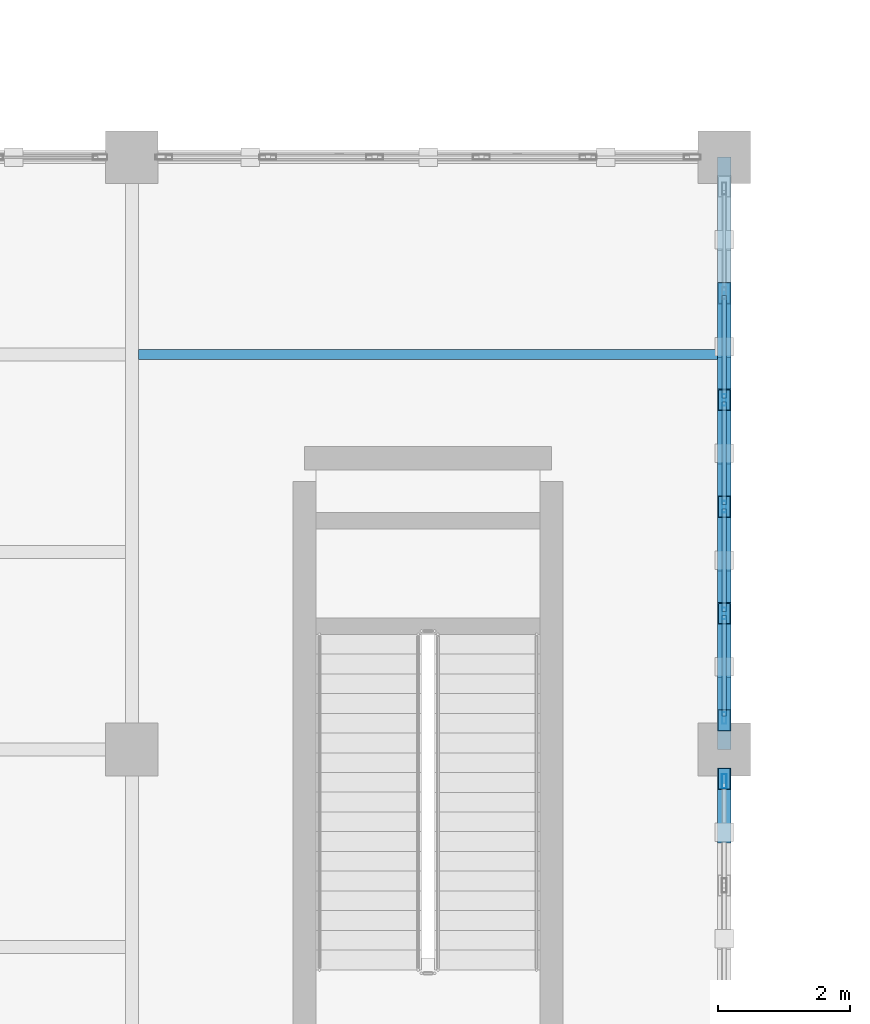
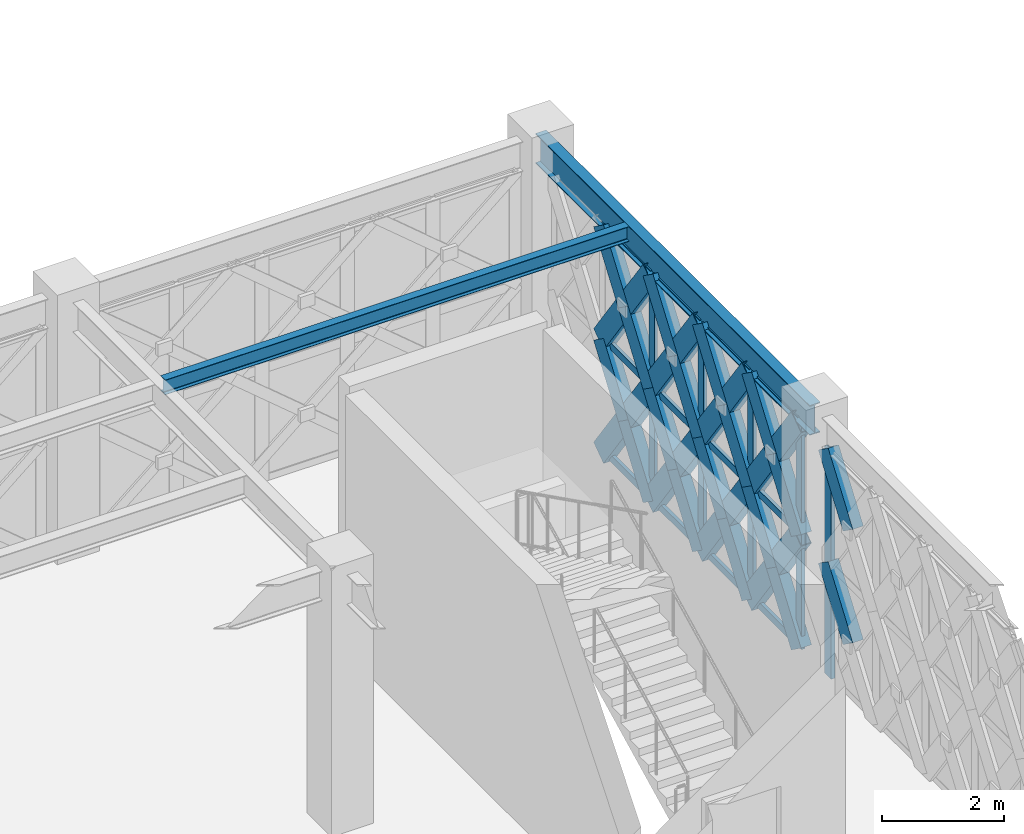
# One storey, part 15 of 86: 43 members, 2 beams, 2 elements without a shape of their own.
"""IFC4 building model written with IfcOpenShell, lengths in metres."""

from ifc_helpers import new_model, si_unit, direction, frame, origin, origin_2d, place, context, subcontext, project, spatial, hollow_rectangle, i_section, extrude, material, material_profile, profile_set, type_object, element, aggregate, save


model = new_model("IFC4")

# Units and contexts
model_context = context("Model", 3, precision=1e-05, world=origin(), true_north=direction((0.0, 1.0)))
body_context = subcontext(model_context, "Body", "Model", "MODEL_VIEW")
ifc_project = project(units=[si_unit("LENGTHUNIT", "METRE"), si_unit("AREAUNIT", "SQUARE_METRE"), si_unit("VOLUMEUNIT", "CUBIC_METRE"), si_unit("PLANEANGLEUNIT", "RADIAN"), si_unit("MASSUNIT", "GRAM", prefix="KILO")], contexts=[model_context])

# Site, building, storey
site_placement = place(None, origin())
site = spatial("IfcSite", under=ifc_project, at=site_placement, CompositionType="ELEMENT")
building_placement = place(site_placement, origin())
building = spatial("IfcBuilding", under=site, at=building_placement, Name="Haizhuo Lancet Aquarium", CompositionType="ELEMENT")
storey_placement = place(building_placement, frame((0.0, 0.0, 16.199951171875)))
storey = spatial("IfcBuildingStorey", under=building, at=storey_placement, Name="L03", CompositionType="ELEMENT", Elevation=16.199951171875)

# Beam
ifc_material_1 = material(Name="Steel S355", Category="steel")
ifc_material_profile_1 = material_profile(ifc_material_1, i_section(OverallWidth=0.199951171875, OverallDepth=0.60009765625, WebThickness=0.010986328125, FlangeThickness=0.01708984375, FilletRadius=0.02197265625, at=origin_2d()), Name="HN 600x200x11x17")
ifc_profile_set_1 = profile_set([ifc_material_profile_1], Name="Steel S355")
beam_type_1 = type_object("IfcBeamType", Name="BM-ST-HN600", PredefinedType="BEAM", material=ifc_profile_set_1)
beam_1_placement = place(storey_placement, frame((-36.0, -18.0, 4.85009765625), z_axis=(0.0, 1.0, 0.0), x_axis=(-1.0, 0.0, 0.0)))
element("IfcBeam", 1, at=beam_1_placement, inside=storey, type_object=beam_type_1, Name="L03 V6 primary girder BM-L03-V6-029", PredefinedType="BEAM", context=body_context, shape_type="SweptSolid", body=[
    extrude(i_section(OverallWidth=0.199951171875, OverallDepth=0.60009765625, WebThickness=0.010986328125, FlangeThickness=0.01708984375, FilletRadius=0.02197265625, at=origin_2d()), origin(), (0.0, 0.0, 1.0), 9.0),
])

# Curtain wall, members
ifc_material_2 = material(Name="Aluminium 6063-T6", Category="aluminium")
curtain_wall_type = type_object("IfcCurtainWallType", Name="CWD-8110x4550", PredefinedType="NOTDEFINED", material=ifc_material_2)
curtain_wall_1_placement = place(storey_placement, origin())
curtain_wall_1 = element("IfcCurtainWall", 2, at=curtain_wall_1_placement, inside=storey, type_object=curtain_wall_type, Name="L03 curtain wall CW-V6-L03-235", PredefinedType="NOTDEFINED")
ifc_material_profile_2 = material_profile(ifc_material_2, hollow_rectangle(XDim=0.06494140625, YDim=0.179931640625, WallThickness=0.00390625, at=origin_2d()), Name="ALU-M 65x180x4")
ifc_profile_set_2 = profile_set([ifc_material_profile_2], Name="Aluminium 6063-T6")
member_type_1 = type_object("IfcMemberType", Name="CW-MUL-1", PredefinedType="MULLION", material=ifc_profile_set_2)
member_1_placement = place(storey_placement, frame((-36.0, -12.68896484375, 0.0), z_axis=(0.0, 0.0, 1.0), x_axis=(1.0, 0.0, 0.0)))
member_1 = element("IfcMember", 3, at=member_1_placement, type_object=member_type_1, Name="CWD-81x45 mullion 3", PredefinedType="MULLION", context=body_context, shape_type="SweptSolid", body=[
    extrude(hollow_rectangle(XDim=0.06494140625, YDim=0.179931640625, WallThickness=0.00390625, at=origin_2d()), origin(), (0.0, 0.0, 1.0), 4.550048828125),
])
member_2_placement = place(storey_placement, frame((-36.0, -14.31103515625, 0.0), z_axis=(0.0, 0.0, 1.0), x_axis=(1.0, 0.0, 0.0)))
member_2 = element("IfcMember", 4, at=member_2_placement, type_object=member_type_1, Name="CWD-81x45 mullion 4", PredefinedType="MULLION", context=body_context, shape_type="SweptSolid", body=[
    extrude(hollow_rectangle(XDim=0.06494140625, YDim=0.179931640625, WallThickness=0.00390625, at=origin_2d()), origin(), (0.0, 0.0, 1.0), 4.550048828125),
])
member_3_placement = place(storey_placement, frame((-36.0, -15.93310546875, 0.0), z_axis=(0.0, 0.0, 1.0), x_axis=(1.0, 0.0, 0.0)))
member_3 = element("IfcMember", 5, at=member_3_placement, type_object=member_type_1, Name="CWD-81x45 mullion 5", PredefinedType="MULLION", context=body_context, shape_type="SweptSolid", body=[
    extrude(hollow_rectangle(XDim=0.06494140625, YDim=0.179931640625, WallThickness=0.00390625, at=origin_2d()), origin(), (0.0, 0.0, 1.0), 4.550048828125),
])
member_4_placement = place(storey_placement, frame((-36.0, -17.52294921875, 0.0), z_axis=(0.0, 0.0, 1.0), x_axis=(1.0, 0.0, 0.0)))
member_4 = element("IfcMember", 6, at=member_4_placement, type_object=member_type_1, Name="CWD-81x45 mullion 6", PredefinedType="MULLION", context=body_context, shape_type="SweptSolid", body=[
    extrude(hollow_rectangle(XDim=0.06494140625, YDim=0.179931640625, WallThickness=0.00390625, at=origin_2d()), origin(), (0.0, 0.0, 1.0), 4.550048828125),
])

# Curtain wall, member
curtain_wall_2_placement = place(storey_placement, origin())
curtain_wall_2 = element("IfcCurtainWall", 7, at=curtain_wall_2_placement, inside=storey, type_object=curtain_wall_type, Name="L03 curtain wall CW-V6-L03-236", PredefinedType="NOTDEFINED")
ifc_material_profile_3 = material_profile(ifc_material_2, hollow_rectangle(XDim=0.074951171875, YDim=0.219970703125, WallThickness=0.0048828125, at=origin_2d()), Name="ALU-M 75x220x5")
ifc_profile_set_3 = profile_set([ifc_material_profile_3], Name="Aluminium 6063-T6")
member_type_2 = type_object("IfcMemberType", Name="CW-MUL-2", PredefinedType="MULLION", material=ifc_profile_set_3)
member_5_placement = place(storey_placement, frame((-36.0, -18.48291015625, 0.0), z_axis=(0.0, 0.0, 1.0), x_axis=(1.0, 0.0, 0.0)))
member_5 = element("IfcMember", 8, at=member_5_placement, type_object=member_type_2, Name="CWD-81x45 mullion 1", PredefinedType="MULLION", context=body_context, shape_type="SweptSolid", body=[
    extrude(hollow_rectangle(XDim=0.074951171875, YDim=0.219970703125, WallThickness=0.0048828125, at=origin_2d()), origin(), (0.0, 0.0, 1.0), 4.550048828125),
])
aggregate(curtain_wall_2, [member_5])

# Member
ifc_material_profile_4 = material_profile(ifc_material_2, hollow_rectangle(XDim=0.06494140625, YDim=0.139892578125, WallThickness=0.00390625, at=origin_2d()), Name="ALU-T 65x140x4")
ifc_profile_set_4 = profile_set([ifc_material_profile_4], Name="Aluminium 6063-T6")
member_type_3 = type_object("IfcMemberType", Name="CW-TRN-1", PredefinedType="NOTDEFINED", material=ifc_profile_set_4)
member_6_placement = place(storey_placement, frame((-36.0, -11.10009765625, 0.031982421875), z_axis=(0.0, -1.0, 0.0), x_axis=(1.0, 0.0, 0.0)))
member_6 = element("IfcMember", 9, at=member_6_placement, type_object=member_type_3, Name="CWD-81x45 transom 2.1", ObjectType="TRANSOM", PredefinedType="USERDEFINED", context=body_context, shape_type="SweptSolid", body=[
    extrude(hollow_rectangle(XDim=0.06494140625, YDim=0.139892578125, WallThickness=0.00390625, at=origin_2d()), origin(), (0.0, 0.0, 1.0), 1.555908203125),
])

member_7_placement = place(storey_placement, frame((-36.0, -11.10009765625, 2.275146484375), z_axis=(0.0, -1.0, 0.0), x_axis=(1.0, 0.0, 0.0)))
member_7 = element("IfcMember", 10, at=member_7_placement, type_object=member_type_3, Name="CWD-81x45 transom 2.2", ObjectType="TRANSOM", PredefinedType="USERDEFINED", context=body_context, shape_type="SweptSolid", body=[
    extrude(hollow_rectangle(XDim=0.06494140625, YDim=0.139892578125, WallThickness=0.00390625, at=origin_2d()), origin(), (0.0, 0.0, 1.0), 1.555908203125),
])

member_8_placement = place(storey_placement, frame((-36.0, -11.10009765625, 4.51806640625), z_axis=(0.0, -1.0, 0.0), x_axis=(1.0, 0.0, 0.0)))
member_8 = element("IfcMember", 11, at=member_8_placement, type_object=member_type_3, Name="CWD-81x45 transom 2.3", ObjectType="TRANSOM", PredefinedType="USERDEFINED", context=body_context, shape_type="SweptSolid", body=[
    extrude(hollow_rectangle(XDim=0.06494140625, YDim=0.139892578125, WallThickness=0.00390625, at=origin_2d()), origin(), (0.0, 0.0, 1.0), 1.555908203125),
])

member_9_placement = place(storey_placement, frame((-36.0, -12.721923828125, 0.031982421875), z_axis=(0.0, -1.0, 0.0), x_axis=(1.0, 0.0, 0.0)))
member_9 = element("IfcMember", 12, at=member_9_placement, type_object=member_type_3, Name="CWD-81x45 transom 3.1", ObjectType="TRANSOM", PredefinedType="USERDEFINED", context=body_context, shape_type="SweptSolid", body=[
    extrude(hollow_rectangle(XDim=0.06494140625, YDim=0.139892578125, WallThickness=0.00390625, at=origin_2d()), origin(), (0.0, 0.0, 1.0), 1.55712890625),
])

member_10_placement = place(storey_placement, frame((-36.0, -12.721923828125, 2.275146484375), z_axis=(0.0, -1.0, 0.0), x_axis=(1.0, 0.0, 0.0)))
member_10 = element("IfcMember", 13, at=member_10_placement, type_object=member_type_3, Name="CWD-81x45 transom 3.2", ObjectType="TRANSOM", PredefinedType="USERDEFINED", context=body_context, shape_type="SweptSolid", body=[
    extrude(hollow_rectangle(XDim=0.06494140625, YDim=0.139892578125, WallThickness=0.00390625, at=origin_2d()), origin(), (0.0, 0.0, 1.0), 1.55712890625),
])

member_11_placement = place(storey_placement, frame((-36.0, -12.721923828125, 4.51806640625), z_axis=(0.0, -1.0, 0.0), x_axis=(1.0, 0.0, 0.0)))
member_11 = element("IfcMember", 14, at=member_11_placement, type_object=member_type_3, Name="CWD-81x45 transom 3.3", ObjectType="TRANSOM", PredefinedType="USERDEFINED", context=body_context, shape_type="SweptSolid", body=[
    extrude(hollow_rectangle(XDim=0.06494140625, YDim=0.139892578125, WallThickness=0.00390625, at=origin_2d()), origin(), (0.0, 0.0, 1.0), 1.55712890625),
])

member_12_placement = place(storey_placement, frame((-36.0, -14.343017578125, 0.031982421875), z_axis=(0.0, -1.0, 0.0), x_axis=(1.0, 0.0, 0.0)))
member_12 = element("IfcMember", 15, at=member_12_placement, type_object=member_type_3, Name="CWD-81x45 transom 4.1", ObjectType="TRANSOM", PredefinedType="USERDEFINED", context=body_context, shape_type="SweptSolid", body=[
    extrude(hollow_rectangle(XDim=0.06494140625, YDim=0.139892578125, WallThickness=0.00390625, at=origin_2d()), origin(), (0.0, 0.0, 1.0), 1.557861328125),
])

member_13_placement = place(storey_placement, frame((-36.0, -14.343017578125, 2.275146484375), z_axis=(0.0, -1.0, 0.0), x_axis=(1.0, 0.0, 0.0)))
member_13 = element("IfcMember", 16, at=member_13_placement, type_object=member_type_3, Name="CWD-81x45 transom 4.2", ObjectType="TRANSOM", PredefinedType="USERDEFINED", context=body_context, shape_type="SweptSolid", body=[
    extrude(hollow_rectangle(XDim=0.06494140625, YDim=0.139892578125, WallThickness=0.00390625, at=origin_2d()), origin(), (0.0, 0.0, 1.0), 1.557861328125),
])

member_14_placement = place(storey_placement, frame((-36.0, -14.343017578125, 4.51806640625), z_axis=(0.0, -1.0, 0.0), x_axis=(1.0, 0.0, 0.0)))
member_14 = element("IfcMember", 17, at=member_14_placement, type_object=member_type_3, Name="CWD-81x45 transom 4.3", ObjectType="TRANSOM", PredefinedType="USERDEFINED", context=body_context, shape_type="SweptSolid", body=[
    extrude(hollow_rectangle(XDim=0.06494140625, YDim=0.139892578125, WallThickness=0.00390625, at=origin_2d()), origin(), (0.0, 0.0, 1.0), 1.557861328125),
])

member_15_placement = place(storey_placement, frame((-36.0, -15.965087890625, 0.031982421875), z_axis=(0.0, -1.0, 0.0), x_axis=(1.0, 0.0, 0.0)))
member_15 = element("IfcMember", 18, at=member_15_placement, type_object=member_type_3, Name="CWD-81x45 transom 5.1", ObjectType="TRANSOM", PredefinedType="USERDEFINED", context=body_context, shape_type="SweptSolid", body=[
    extrude(hollow_rectangle(XDim=0.06494140625, YDim=0.139892578125, WallThickness=0.00390625, at=origin_2d()), origin(), (0.0, 0.0, 1.0), 1.52490234375),
])

member_16_placement = place(storey_placement, frame((-36.0, -15.965087890625, 2.275146484375), z_axis=(0.0, -1.0, 0.0), x_axis=(1.0, 0.0, 0.0)))
member_16 = element("IfcMember", 19, at=member_16_placement, type_object=member_type_3, Name="CWD-81x45 transom 5.2", ObjectType="TRANSOM", PredefinedType="USERDEFINED", context=body_context, shape_type="SweptSolid", body=[
    extrude(hollow_rectangle(XDim=0.06494140625, YDim=0.139892578125, WallThickness=0.00390625, at=origin_2d()), origin(), (0.0, 0.0, 1.0), 1.52490234375),
])

member_17_placement = place(storey_placement, frame((-36.0, -15.965087890625, 4.51806640625), z_axis=(0.0, -1.0, 0.0), x_axis=(1.0, 0.0, 0.0)))
member_17 = element("IfcMember", 20, at=member_17_placement, type_object=member_type_3, Name="CWD-81x45 transom 5.3", ObjectType="TRANSOM", PredefinedType="USERDEFINED", context=body_context, shape_type="SweptSolid", body=[
    extrude(hollow_rectangle(XDim=0.06494140625, YDim=0.139892578125, WallThickness=0.00390625, at=origin_2d()), origin(), (0.0, 0.0, 1.0), 1.52490234375),
])

aggregate(curtain_wall_1, [member_1, member_2, member_3, member_4, member_6, member_7, member_8, member_9, member_10, member_11, member_12, member_13, member_14, member_15, member_16, member_17])

# Beam
ifc_material_profile_5 = material_profile(ifc_material_1, i_section(OverallWidth=0.14990234375, OverallDepth=0.300048828125, WebThickness=0.006591796875, FlangeThickness=0.009033203125, FilletRadius=0.012939453125, at=origin_2d()), Name="HN 300x150x6.5x9")
ifc_profile_set_5 = profile_set([ifc_material_profile_5], Name="Steel S355")
beam_type_2 = type_object("IfcBeamType", Name="JST-ST-HN300", PredefinedType="JOIST", material=ifc_profile_set_5)
beam_2_placement = place(storey_placement, frame((-44.89990234375, -12.0, 5.0), z_axis=(1.0, 0.0, 0.0), x_axis=(0.0, 1.0, 0.0)))
element("IfcBeam", 21, at=beam_2_placement, inside=storey, type_object=beam_type_2, Name="L03 V6 secondary floor joist 15", PredefinedType="JOIST", context=body_context, shape_type="SweptSolid", body=[
    extrude(i_section(OverallWidth=0.14990234375, OverallDepth=0.300048828125, WebThickness=0.006591796875, FlangeThickness=0.009033203125, FilletRadius=0.012939453125, at=origin_2d()), origin(), (0.0, 0.0, 1.0), 8.7998046875),
])

# Members
ifc_material_profile_6 = material_profile(ifc_material_1, hollow_rectangle(XDim=0.199951171875, YDim=0.39990234375, WallThickness=0.011962890625, at=origin_2d()), Name="RHS 200x400x12")
ifc_profile_set_6 = profile_set([ifc_material_profile_6], Name="Steel S355")
member_type_4 = type_object("IfcMemberType", Name="MEM-LB-RHS200x400", PredefinedType="BRACE", material=ifc_profile_set_6)
member_18_placement = place(storey_placement, frame((-36.0, -11.06689453125, 0.0), z_axis=(0.0, -0.580518894897, 0.814246776271), x_axis=(1.0, 0.0, 0.0)))
element("IfcMember", 22, at=member_18_placement, inside=storey, type_object=member_type_4, Name="Gothic lancet continuous diagonal brace CW-V6-L03-235 3A", PredefinedType="BRACE", context=body_context, shape_type="SweptSolid", body=[
    extrude(hollow_rectangle(XDim=0.199951171875, YDim=0.39990234375, WallThickness=0.011962890625, at=origin_2d()), origin(), (0.0, 0.0, 1.0), 2.794189453125),
])
member_19_placement = place(storey_placement, frame((-36.0, -12.68896484375, 0.0), z_axis=(0.0, 0.580725454015, 0.814099470003), x_axis=(-1.0, 0.0, 0.0)))
element("IfcMember", 23, at=member_19_placement, inside=storey, type_object=member_type_4, Name="Gothic lancet split diagonal brace CW-V6-L03-235 3B1", PredefinedType="BRACE", context=body_context, shape_type="SweptSolid", body=[
    extrude(hollow_rectangle(XDim=0.199951171875, YDim=0.39990234375, WallThickness=0.011962890625, at=origin_2d()), origin(), (0.0, 0.0, 1.0), 1.396484375),
])
member_20_placement = place(storey_placement, frame((-36.0, -11.8779296875, 1.136962890625), z_axis=(0.0, 0.580312445357, 0.814393925422), x_axis=(-1.0, 0.0, 0.0)))
element("IfcMember", 24, at=member_20_placement, inside=storey, type_object=member_type_4, Name="Gothic lancet split diagonal brace CW-V6-L03-235 3B2", PredefinedType="BRACE", context=body_context, shape_type="SweptSolid", body=[
    extrude(hollow_rectangle(XDim=0.199951171875, YDim=0.39990234375, WallThickness=0.011962890625, at=origin_2d()), origin(), (0.0, 0.0, 1.0), 1.397705078125),
])
member_21_placement = place(storey_placement, frame((-36.0, -11.06689453125, 2.275146484375), z_axis=(0.0, -0.580560197953, 0.814217327593), x_axis=(1.0, 0.0, 0.0)))
element("IfcMember", 25, at=member_21_placement, inside=storey, type_object=member_type_4, Name="Gothic lancet continuous diagonal brace CW-V6-L03-235 4A", PredefinedType="BRACE", context=body_context, shape_type="SweptSolid", body=[
    extrude(hollow_rectangle(XDim=0.199951171875, YDim=0.39990234375, WallThickness=0.011962890625, at=origin_2d()), origin(), (0.0, 0.0, 1.0), 2.7939453125),
])
member_22_placement = place(storey_placement, frame((-36.0, -12.68896484375, 2.275146484375), z_axis=(0.0, 0.580395012026, 0.814335084603), x_axis=(-1.0, 0.0, 0.0)))
element("IfcMember", 26, at=member_22_placement, inside=storey, type_object=member_type_4, Name="Gothic lancet split diagonal brace CW-V6-L03-235 4B1", PredefinedType="BRACE", context=body_context, shape_type="SweptSolid", body=[
    extrude(hollow_rectangle(XDim=0.199951171875, YDim=0.39990234375, WallThickness=0.011962890625, at=origin_2d()), origin(), (0.0, 0.0, 1.0), 1.3974609375),
])
member_23_placement = place(storey_placement, frame((-36.0, -11.8779296875, 3.4130859375), z_axis=(0.0, 0.580725454015, 0.814099470003), x_axis=(-1.0, 0.0, 0.0)))
element("IfcMember", 27, at=member_23_placement, inside=storey, type_object=member_type_4, Name="Gothic lancet split diagonal brace CW-V6-L03-235 4B2", PredefinedType="BRACE", context=body_context, shape_type="SweptSolid", body=[
    extrude(hollow_rectangle(XDim=0.199951171875, YDim=0.39990234375, WallThickness=0.011962890625, at=origin_2d()), origin(), (0.0, 0.0, 1.0), 1.396484375),
])
member_24_placement = place(storey_placement, frame((-36.0, -12.68896484375, 0.0), z_axis=(0.0, -0.580518894897, 0.814246776271), x_axis=(1.0, 0.0, 0.0)))
element("IfcMember", 28, at=member_24_placement, inside=storey, type_object=member_type_4, Name="Gothic lancet continuous diagonal brace CW-V6-L03-235 5A", PredefinedType="BRACE", context=body_context, shape_type="SweptSolid", body=[
    extrude(hollow_rectangle(XDim=0.199951171875, YDim=0.39990234375, WallThickness=0.011962890625, at=origin_2d()), origin(), (0.0, 0.0, 1.0), 2.794189453125),
])
member_25_placement = place(storey_placement, frame((-36.0, -14.31103515625, 0.0), z_axis=(0.0, 0.580725454015, 0.814099470003), x_axis=(-1.0, 0.0, 0.0)))
element("IfcMember", 29, at=member_25_placement, inside=storey, type_object=member_type_4, Name="Gothic lancet split diagonal brace CW-V6-L03-235 5B1", PredefinedType="BRACE", context=body_context, shape_type="SweptSolid", body=[
    extrude(hollow_rectangle(XDim=0.199951171875, YDim=0.39990234375, WallThickness=0.011962890625, at=origin_2d()), origin(), (0.0, 0.0, 1.0), 1.396484375),
])
member_26_placement = place(storey_placement, frame((-36.0, -13.5, 1.136962890625), z_axis=(0.0, 0.580312445357, 0.814393925422), x_axis=(-1.0, 0.0, 0.0)))
element("IfcMember", 30, at=member_26_placement, inside=storey, type_object=member_type_4, Name="Gothic lancet split diagonal brace CW-V6-L03-235 5B2", PredefinedType="BRACE", context=body_context, shape_type="SweptSolid", body=[
    extrude(hollow_rectangle(XDim=0.199951171875, YDim=0.39990234375, WallThickness=0.011962890625, at=origin_2d()), origin(), (0.0, 0.0, 1.0), 1.397705078125),
])
member_27_placement = place(storey_placement, frame((-36.0, -12.68896484375, 2.275146484375), z_axis=(0.0, -0.580560197953, 0.814217327593), x_axis=(1.0, 0.0, 0.0)))
element("IfcMember", 31, at=member_27_placement, inside=storey, type_object=member_type_4, Name="Gothic lancet continuous diagonal brace CW-V6-L03-235 6A", PredefinedType="BRACE", context=body_context, shape_type="SweptSolid", body=[
    extrude(hollow_rectangle(XDim=0.199951171875, YDim=0.39990234375, WallThickness=0.011962890625, at=origin_2d()), origin(), (0.0, 0.0, 1.0), 2.7939453125),
])
member_28_placement = place(storey_placement, frame((-36.0, -14.31103515625, 2.275146484375), z_axis=(0.0, 0.580395012026, 0.814335084603), x_axis=(-1.0, 0.0, 0.0)))
element("IfcMember", 32, at=member_28_placement, inside=storey, type_object=member_type_4, Name="Gothic lancet split diagonal brace CW-V6-L03-235 6B1", PredefinedType="BRACE", context=body_context, shape_type="SweptSolid", body=[
    extrude(hollow_rectangle(XDim=0.199951171875, YDim=0.39990234375, WallThickness=0.011962890625, at=origin_2d()), origin(), (0.0, 0.0, 1.0), 1.3974609375),
])
member_29_placement = place(storey_placement, frame((-36.0, -13.5, 3.4130859375), z_axis=(0.0, 0.580725454015, 0.814099470003), x_axis=(-1.0, 0.0, 0.0)))
element("IfcMember", 33, at=member_29_placement, inside=storey, type_object=member_type_4, Name="Gothic lancet split diagonal brace CW-V6-L03-235 6B2", PredefinedType="BRACE", context=body_context, shape_type="SweptSolid", body=[
    extrude(hollow_rectangle(XDim=0.199951171875, YDim=0.39990234375, WallThickness=0.011962890625, at=origin_2d()), origin(), (0.0, 0.0, 1.0), 1.396484375),
])
member_30_placement = place(storey_placement, frame((-36.0, -14.31103515625, 0.0), z_axis=(0.0, -0.580518894897, 0.814246776271), x_axis=(1.0, 0.0, 0.0)))
element("IfcMember", 34, at=member_30_placement, inside=storey, type_object=member_type_4, Name="Gothic lancet continuous diagonal brace CW-V6-L03-235 7A", PredefinedType="BRACE", context=body_context, shape_type="SweptSolid", body=[
    extrude(hollow_rectangle(XDim=0.199951171875, YDim=0.39990234375, WallThickness=0.011962890625, at=origin_2d()), origin(), (0.0, 0.0, 1.0), 2.794189453125),
])
member_31_placement = place(storey_placement, frame((-36.0, -15.93310546875, 0.0), z_axis=(0.0, 0.580725454015, 0.814099470003), x_axis=(-1.0, 0.0, 0.0)))
element("IfcMember", 35, at=member_31_placement, inside=storey, type_object=member_type_4, Name="Gothic lancet split diagonal brace CW-V6-L03-235 7B1", PredefinedType="BRACE", context=body_context, shape_type="SweptSolid", body=[
    extrude(hollow_rectangle(XDim=0.199951171875, YDim=0.39990234375, WallThickness=0.011962890625, at=origin_2d()), origin(), (0.0, 0.0, 1.0), 1.396484375),
])
member_32_placement = place(storey_placement, frame((-36.0, -15.1220703125, 1.136962890625), z_axis=(0.0, 0.580312445357, 0.814393925422), x_axis=(-1.0, 0.0, 0.0)))
element("IfcMember", 36, at=member_32_placement, inside=storey, type_object=member_type_4, Name="Gothic lancet split diagonal brace CW-V6-L03-235 7B2", PredefinedType="BRACE", context=body_context, shape_type="SweptSolid", body=[
    extrude(hollow_rectangle(XDim=0.199951171875, YDim=0.39990234375, WallThickness=0.011962890625, at=origin_2d()), origin(), (0.0, 0.0, 1.0), 1.397705078125),
])
member_33_placement = place(storey_placement, frame((-36.0, -14.31103515625, 2.275146484375), z_axis=(0.0, -0.580560197953, 0.814217327593), x_axis=(1.0, 0.0, 0.0)))
element("IfcMember", 37, at=member_33_placement, inside=storey, type_object=member_type_4, Name="Gothic lancet continuous diagonal brace CW-V6-L03-235 8A", PredefinedType="BRACE", context=body_context, shape_type="SweptSolid", body=[
    extrude(hollow_rectangle(XDim=0.199951171875, YDim=0.39990234375, WallThickness=0.011962890625, at=origin_2d()), origin(), (0.0, 0.0, 1.0), 2.7939453125),
])
member_34_placement = place(storey_placement, frame((-36.0, -15.93310546875, 2.275146484375), z_axis=(0.0, 0.580395012026, 0.814335084603), x_axis=(-1.0, 0.0, 0.0)))
element("IfcMember", 38, at=member_34_placement, inside=storey, type_object=member_type_4, Name="Gothic lancet split diagonal brace CW-V6-L03-235 8B1", PredefinedType="BRACE", context=body_context, shape_type="SweptSolid", body=[
    extrude(hollow_rectangle(XDim=0.199951171875, YDim=0.39990234375, WallThickness=0.011962890625, at=origin_2d()), origin(), (0.0, 0.0, 1.0), 1.3974609375),
])
member_35_placement = place(storey_placement, frame((-36.0, -15.1220703125, 3.4130859375), z_axis=(0.0, 0.580725454015, 0.814099470003), x_axis=(-1.0, 0.0, 0.0)))
element("IfcMember", 39, at=member_35_placement, inside=storey, type_object=member_type_4, Name="Gothic lancet split diagonal brace CW-V6-L03-235 8B2", PredefinedType="BRACE", context=body_context, shape_type="SweptSolid", body=[
    extrude(hollow_rectangle(XDim=0.199951171875, YDim=0.39990234375, WallThickness=0.011962890625, at=origin_2d()), origin(), (0.0, 0.0, 1.0), 1.396484375),
])
member_36_placement = place(storey_placement, frame((-36.0, -15.93310546875, 0.0), z_axis=(0.0, -0.580460961116, 0.81428807717), x_axis=(1.0, 0.0, 0.0)))
element("IfcMember", 40, at=member_36_placement, inside=storey, type_object=member_type_4, Name="Gothic lancet continuous diagonal brace CW-V6-L03-235 9A", PredefinedType="BRACE", context=body_context, shape_type="SweptSolid", body=[
    extrude(hollow_rectangle(XDim=0.199951171875, YDim=0.39990234375, WallThickness=0.011962890625, at=origin_2d()), origin(), (0.0, 0.0, 1.0), 2.7939453125),
])
member_37_placement = place(storey_placement, frame((-36.0, -17.554931640625, 0.0), z_axis=(0.0, 0.580725454015, 0.814099470003), x_axis=(-1.0, 0.0, 0.0)))
element("IfcMember", 41, at=member_37_placement, inside=storey, type_object=member_type_4, Name="Gothic lancet split diagonal brace CW-V6-L03-235 9B1", PredefinedType="BRACE", context=body_context, shape_type="SweptSolid", body=[
    extrude(hollow_rectangle(XDim=0.199951171875, YDim=0.39990234375, WallThickness=0.011962890625, at=origin_2d()), origin(), (0.0, 0.0, 1.0), 1.396484375),
])
member_38_placement = place(storey_placement, frame((-36.0, -16.743896484375, 1.136962890625), z_axis=(0.0, 0.580196568329, 0.814476483454), x_axis=(-1.0, 0.0, 0.0)))
element("IfcMember", 42, at=member_38_placement, inside=storey, type_object=member_type_4, Name="Gothic lancet split diagonal brace CW-V6-L03-235 9B2", PredefinedType="BRACE", context=body_context, shape_type="SweptSolid", body=[
    extrude(hollow_rectangle(XDim=0.199951171875, YDim=0.39990234375, WallThickness=0.011962890625, at=origin_2d()), origin(), (0.0, 0.0, 1.0), 1.3974609375),
])
member_39_placement = place(storey_placement, frame((-36.0, -15.93310546875, 2.275146484375), z_axis=(0.0, -0.58050226424, 0.814258632875), x_axis=(1.0, 0.0, 0.0)))
element("IfcMember", 43, at=member_39_placement, inside=storey, type_object=member_type_4, Name="Gothic lancet continuous diagonal brace CW-V6-L03-235 10A", PredefinedType="BRACE", context=body_context, shape_type="SweptSolid", body=[
    extrude(hollow_rectangle(XDim=0.199951171875, YDim=0.39990234375, WallThickness=0.011962890625, at=origin_2d()), origin(), (0.0, 0.0, 1.0), 2.7939453125),
])
member_40_placement = place(storey_placement, frame((-36.0, -17.554931640625, 2.275146484375), z_axis=(0.0, 0.580395012026, 0.814335084603), x_axis=(-1.0, 0.0, 0.0)))
element("IfcMember", 44, at=member_40_placement, inside=storey, type_object=member_type_4, Name="Gothic lancet split diagonal brace CW-V6-L03-235 10B1", PredefinedType="BRACE", context=body_context, shape_type="SweptSolid", body=[
    extrude(hollow_rectangle(XDim=0.199951171875, YDim=0.39990234375, WallThickness=0.011962890625, at=origin_2d()), origin(), (0.0, 0.0, 1.0), 1.3974609375),
])
member_41_placement = place(storey_placement, frame((-36.0, -16.743896484375, 3.4130859375), z_axis=(0.0, 0.580609578331, 0.814182115715), x_axis=(-1.0, 0.0, 0.0)))
element("IfcMember", 45, at=member_41_placement, inside=storey, type_object=member_type_4, Name="Gothic lancet split diagonal brace CW-V6-L03-235 10B2", PredefinedType="BRACE", context=body_context, shape_type="SweptSolid", body=[
    extrude(hollow_rectangle(XDim=0.199951171875, YDim=0.39990234375, WallThickness=0.011962890625, at=origin_2d()), origin(), (0.0, 0.0, 1.0), 1.396484375),
])
member_42_placement = place(storey_placement, frame((-36.0, -19.256103515625, 1.136962890625), z_axis=(0.0, 0.580312445357, 0.814393925422), x_axis=(-1.0, 0.0, 0.0)))
element("IfcMember", 46, at=member_42_placement, inside=storey, type_object=member_type_4, Name="Gothic lancet split diagonal brace CW-V6-L03-236 1B2", PredefinedType="BRACE", context=body_context, shape_type="SweptSolid", body=[
    extrude(hollow_rectangle(XDim=0.199951171875, YDim=0.39990234375, WallThickness=0.011962890625, at=origin_2d()), origin(), (0.0, 0.0, 1.0), 1.397705078125),
])
member_43_placement = place(storey_placement, frame((-36.0, -19.256103515625, 3.4130859375), z_axis=(0.0, 0.580725454015, 0.814099470003), x_axis=(-1.0, 0.0, 0.0)))
element("IfcMember", 47, at=member_43_placement, inside=storey, type_object=member_type_4, Name="Gothic lancet split diagonal brace CW-V6-L03-236 2B2", PredefinedType="BRACE", context=body_context, shape_type="SweptSolid", body=[
    extrude(hollow_rectangle(XDim=0.199951171875, YDim=0.39990234375, WallThickness=0.011962890625, at=origin_2d()), origin(), (0.0, 0.0, 1.0), 1.396484375),
])

save(model, "model.ifc")
